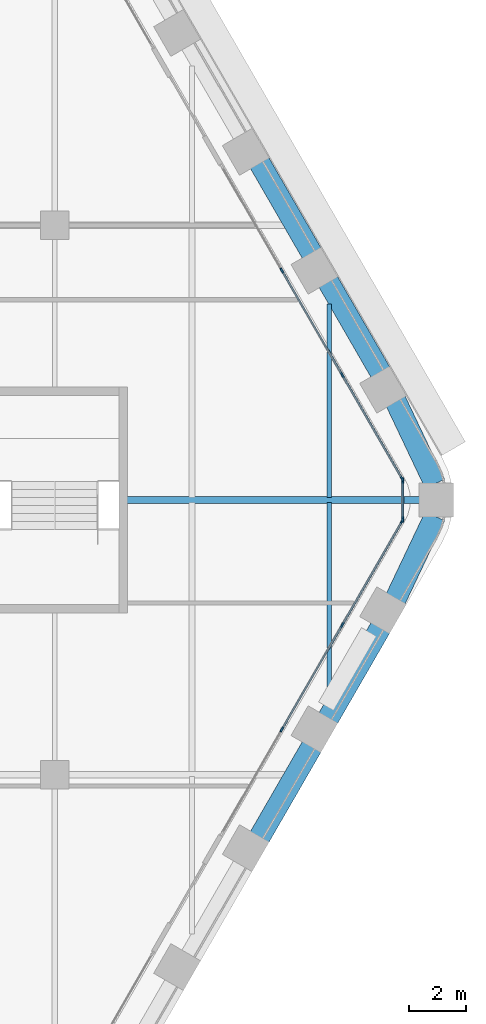
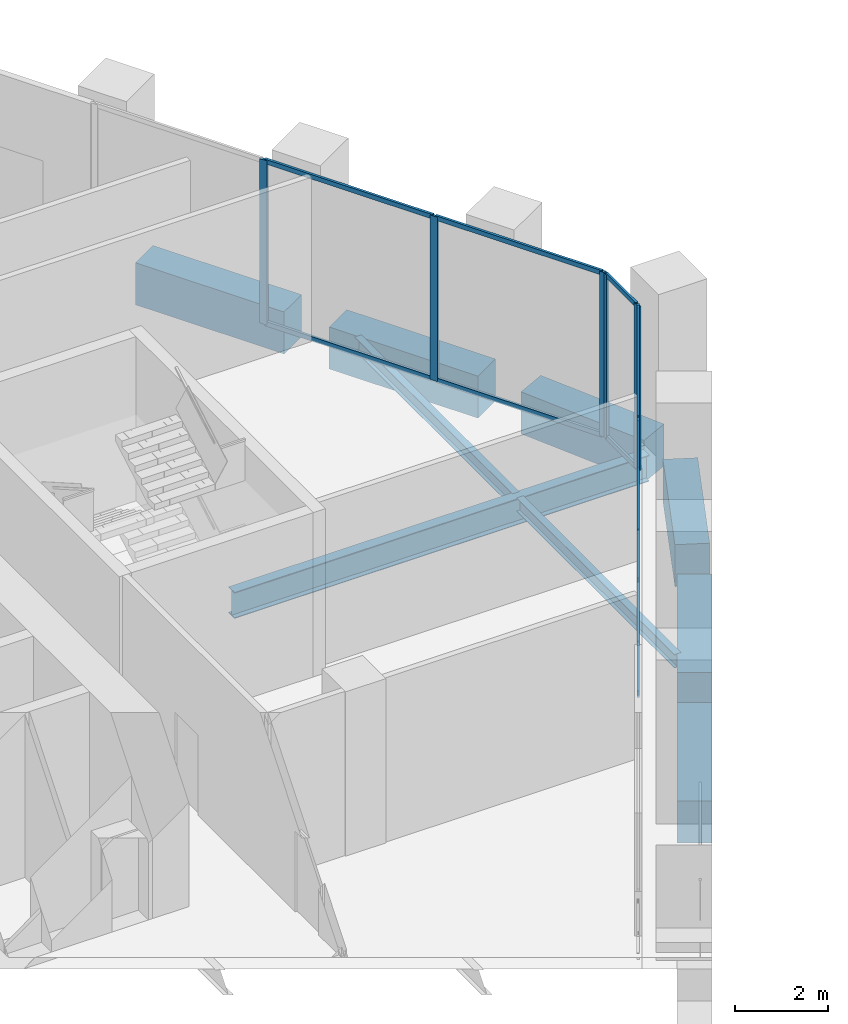
# One storey, part 12 of 27: 18 members, 9 beams, 3 elements without a shape of their own.
"""IFC4 building model written with IfcOpenShell, lengths in metres."""

from ifc_helpers import new_model, si_unit, direction, frame, origin, origin_2d, place, context, subcontext, project, spatial, rectangle, i_section, extrude, material, material_profile, profile_set, type_object, element, aggregate, save


model = new_model("IFC4")

# Units and contexts
model_context = context("Model", 3, precision=1e-05, world=origin(), true_north=direction((0.0, 1.0)))
body_context = subcontext(model_context, "Body", "Model", "MODEL_VIEW")
ifc_project = project(units=[si_unit("LENGTHUNIT", "METRE"), si_unit("AREAUNIT", "SQUARE_METRE"), si_unit("VOLUMEUNIT", "CUBIC_METRE"), si_unit("PLANEANGLEUNIT", "RADIAN"), si_unit("MASSUNIT", "GRAM", prefix="KILO")], contexts=[model_context])

# Site, building, storey
site_placement = place(None, origin())
site = spatial("IfcSite", under=ifc_project, at=site_placement, CompositionType="ELEMENT")
building_placement = place(site_placement, origin())
building = spatial("IfcBuilding", under=site, at=building_placement, Name="Kolab Exchange Tower", CompositionType="ELEMENT")
storey_placement = place(building_placement, frame((0.0, 0.0, 109.39990234375)))
storey = spatial("IfcBuildingStorey", under=building, at=storey_placement, Name="L21", CompositionType="ELEMENT", Elevation=109.39990234375)

# Beams
ifc_material_1 = material(Name="Steel S355", Category="steel")
ifc_material_profile_1 = material_profile(ifc_material_1, i_section(OverallWidth=0.1708984375, OverallDepth=0.35498046875, WebThickness=0.007080078125, FlangeThickness=0.01171875, at=origin_2d()), Name="W360X51")
ifc_profile_set_1 = profile_set([ifc_material_profile_1], Name="Steel S355")
beam_type_1 = type_object("IfcBeamType", Name="FLOOR BEAM W360X51", PredefinedType="BEAM", material=ifc_profile_set_1)
for number, where, z_axis, x_axis, name in (
    (1, (28.800048828125, -6.853759765625, -0.37744140625), (0.0, 1.0, 0.0), (-1.0, 0.0, 0.0), "beam/L21/fr/050"),
    (2, (28.800048828125, 0.0869140625, -0.37744140625), (0.0, 1.0, 0.0), (-1.0, 0.0, 0.0), "beam/L21/fr/051"),
):
    element("IfcBeam", number, at=place(storey_placement, frame(where, z_axis=z_axis, x_axis=x_axis)), inside=storey, type_object=beam_type_1, Name=name, PredefinedType="BEAM", context=body_context, shape_type="SweptSolid", body=[
        extrude(i_section(OverallWidth=0.1708984375, OverallDepth=0.35498046875, WebThickness=0.007080078125, FlangeThickness=0.01171875, at=origin_2d()), origin(), (0.0, 0.0, 1.0), 6.766845703125),
    ])
ifc_material_profile_2 = material_profile(ifc_material_1, i_section(OverallWidth=0.25390625, OverallDepth=0.68408203125, WebThickness=0.012451171875, FlangeThickness=0.018798828125, at=origin_2d()), Name="W690X140")
ifc_profile_set_2 = profile_set([ifc_material_profile_2], Name="Steel S355")
beam_type_2 = type_object("IfcBeamType", Name="FLOOR GIRDER W690X140", PredefinedType="BEAM", material=ifc_profile_set_2)
beam_placement = place(storey_placement, frame((21.7099609375, 0.0, -0.5419921875), z_axis=(1.0, 0.0, 0.0), x_axis=(0.0, 1.0, 0.0)))
element("IfcBeam", 3, at=beam_placement, inside=storey, type_object=beam_type_2, Name="beam/L21/gd/019", PredefinedType="BEAM", context=body_context, shape_type="SweptSolid", body=[
    extrude(i_section(OverallWidth=0.25390625, OverallDepth=0.68408203125, WebThickness=0.012451171875, FlangeThickness=0.018798828125, at=origin_2d()), origin(), (0.0, 0.0, 1.0), 10.265869140625),
])
ifc_material_2 = material(Name="Concrete C70/85", Category="concrete")
ifc_material_profile_3 = material_profile(ifc_material_2, rectangle(XDim=0.75, YDim=1.10009765625, at=origin_2d()), Name="RC750X1100")
ifc_profile_set_3 = profile_set([ifc_material_profile_3], Name="Concrete C70/85")
beam_type_3 = type_object("IfcBeamType", Name="SPANDREL BEAM 750X1100 C70/85", PredefinedType="BEAM", material=ifc_profile_set_3)
for number, where, z_axis, x_axis, name in (
    (4, (26.355224609375, 11.79833984375, -0.75), (0.500013413428, -0.866017659399, 0.0), (0.866017659399, 0.500013413428, 0.0), "beam/L21/sp/F2-05"),
    (5, (28.755126953125, 7.641357421875, -0.75), (0.500013413428, -0.866017659399, 0.0), (0.866017659399, 0.500013413428, 0.0), "beam/L21/sp/F2-06"),
):
    element("IfcBeam", number, at=place(storey_placement, frame(where, z_axis=z_axis, x_axis=x_axis)), inside=storey, type_object=beam_type_3, Name=name, PredefinedType="BEAM", context=body_context, shape_type="SweptSolid", body=[
        extrude(rectangle(XDim=0.75, YDim=1.10009765625, at=origin_2d()), origin(), (0.0, 0.0, 1.0), 3.68017578125),
    ])
for number, where, z_axis, x_axis, name in (
    (6, (31.116455078125, 3.4619140625, -0.75), (0.429041292193, -0.903284877319, 0.0), (0.903284877319, 0.429041292193, 0.0), "beam/L21/sp/F2-07"),
    (7, (32.492919921875, -0.56396484375, -0.75), (-0.429041292193, -0.903284877319, 0.0), (0.903284877319, -0.429041292193, 0.0), "beam/L21/sp/F3-01"),
):
    element("IfcBeam", number, at=place(storey_placement, frame(where, z_axis=z_axis, x_axis=x_axis)), inside=storey, type_object=beam_type_3, Name=name, PredefinedType="BEAM", context=body_context, shape_type="SweptSolid", body=[
        extrude(rectangle(XDim=0.75, YDim=1.10009765625, at=origin_2d()), origin(), (0.0, 0.0, 1.0), 3.208251953125),
    ])
for number, where, z_axis, x_axis, name in (
    (8, (30.59521484375, -4.454345703125, -0.75), (-0.500013413428, -0.866017659399, 0.0), (0.866017659399, -0.500013413428, 0.0), "beam/L21/sp/F3-02"),
    (9, (28.1953125, -8.611328125, -0.75), (-0.500013413428, -0.866017659399, 0.0), (0.866017659399, -0.500013413428, 0.0), "beam/L21/sp/F3-03"),
):
    element("IfcBeam", number, at=place(storey_placement, frame(where, z_axis=z_axis, x_axis=x_axis)), inside=storey, type_object=beam_type_3, Name=name, PredefinedType="BEAM", context=body_context, shape_type="SweptSolid", body=[
        extrude(rectangle(XDim=0.75, YDim=1.10009765625, at=origin_2d()), origin(), (0.0, 0.0, 1.0), 3.68017578125),
    ])

# Curtain wall, members
ifc_material_3 = material(Name="Aluminium EN AW-6063 T6", Category="aluminium")
curtain_wall_type = type_object("IfcCurtainWallType", Name="UNITISED LOWER MID ZONE CURTAIN WALL", PredefinedType="NOTDEFINED", material=ifc_material_3)
curtain_wall_1_placement = place(storey_placement, origin())
curtain_wall_1 = element("IfcCurtainWall", 10, at=curtain_wall_1_placement, inside=storey, type_object=curtain_wall_type, Name="cw/L21/F2-2", PredefinedType="NOTDEFINED")
ifc_material_profile_4 = material_profile(ifc_material_3, rectangle(XDim=0.06005859375, YDim=0.179931640625, at=origin_2d()), Name="RECT 60X180")
ifc_profile_set_4 = profile_set([ifc_material_profile_4], Name="Aluminium EN AW-6063 T6")
member_type_1 = type_object("IfcMemberType", Name="UNITISED LOWER MID ZONE MULLION 60 X 180", PredefinedType="MULLION", material=ifc_profile_set_4)
member_1_placement = place(storey_placement, frame((27.14306640625, 8.02392578125, 0.0), z_axis=(0.0, 0.0, 1.0), x_axis=(0.866025427826, 0.499999958358, 0.0)))
member_1 = element("IfcMember", 11, at=member_1_placement, type_object=member_type_1, Name="CW2 mullion 2", PredefinedType="MULLION", context=body_context, shape_type="SweptSolid", body=[
    extrude(rectangle(XDim=0.06005859375, YDim=0.179931640625, at=origin_2d()), origin(), (0.0, 0.0, 1.0), 4.300048828125),
])
member_2_placement = place(storey_placement, frame((29.25439453125, 4.366943359375, 0.0), z_axis=(0.0, 0.0, 1.0), x_axis=(0.866025427826, 0.499999958358, 0.0)))
member_2 = element("IfcMember", 12, at=member_2_placement, type_object=member_type_1, Name="CW2 mullion 3", PredefinedType="MULLION", context=body_context, shape_type="SweptSolid", body=[
    extrude(rectangle(XDim=0.06005859375, YDim=0.179931640625, at=origin_2d()), origin(), (0.0, 0.0, 1.0), 4.300048828125),
])
member_3_placement = place(storey_placement, frame((31.3505859375, 0.736083984375, 0.0), z_axis=(0.0, 0.0, 1.0), x_axis=(0.866025427826, 0.499999958358, 0.0)))
member_3 = element("IfcMember", 13, at=member_3_placement, type_object=member_type_1, Name="CW2 mullion 4", PredefinedType="MULLION", context=body_context, shape_type="SweptSolid", body=[
    extrude(rectangle(XDim=0.06005859375, YDim=0.179931640625, at=origin_2d()), origin(), (0.0, 0.0, 1.0), 4.300048828125),
])

curtain_wall_2_placement = place(storey_placement, origin())
curtain_wall_2 = element("IfcCurtainWall", 14, at=curtain_wall_2_placement, inside=storey, type_object=curtain_wall_type, Name="cw/L21/F3-1", PredefinedType="NOTDEFINED")
member_4_placement = place(storey_placement, frame((31.3505859375, -0.736083984375, 0.0), z_axis=(0.0, 0.0, 1.0), x_axis=(0.866025427826, -0.499999958358, 0.0)))
member_4 = element("IfcMember", 15, at=member_4_placement, type_object=member_type_1, Name="CW2 mullion 1", PredefinedType="MULLION", context=body_context, shape_type="SweptSolid", body=[
    extrude(rectangle(XDim=0.06005859375, YDim=0.179931640625, at=origin_2d()), origin(), (0.0, 0.0, 1.0), 4.300048828125),
])
member_5_placement = place(storey_placement, frame((29.25439453125, -4.366943359375, 0.0), z_axis=(0.0, 0.0, 1.0), x_axis=(0.866025427826, -0.499999958358, 0.0)))
member_5 = element("IfcMember", 16, at=member_5_placement, type_object=member_type_1, Name="CW2 mullion 2", PredefinedType="MULLION", context=body_context, shape_type="SweptSolid", body=[
    extrude(rectangle(XDim=0.06005859375, YDim=0.179931640625, at=origin_2d()), origin(), (0.0, 0.0, 1.0), 4.300048828125),
])
member_6_placement = place(storey_placement, frame((27.14306640625, -8.02392578125, 0.0), z_axis=(0.0, 0.0, 1.0), x_axis=(0.866025427826, -0.499999958358, 0.0)))
member_6 = element("IfcMember", 17, at=member_6_placement, type_object=member_type_1, Name="CW2 mullion 3", PredefinedType="MULLION", context=body_context, shape_type="SweptSolid", body=[
    extrude(rectangle(XDim=0.06005859375, YDim=0.179931640625, at=origin_2d()), origin(), (0.0, 0.0, 1.0), 4.300048828125),
])

curtain_wall_3_placement = place(storey_placement, origin())
curtain_wall_3 = element("IfcCurtainWall", 18, at=curtain_wall_3_placement, inside=storey, type_object=curtain_wall_type, Name="cw/L21/F2F3-corner", PredefinedType="NOTDEFINED")
member_7_placement = place(storey_placement, frame((31.36572265625, 0.679931640625, 0.0), z_axis=(0.0, 0.0, 1.0), x_axis=(1.0, 0.0, 0.0)))
member_7 = element("IfcMember", 19, at=member_7_placement, type_object=member_type_1, Name="CW2 mullion 1", PredefinedType="MULLION", context=body_context, shape_type="SweptSolid", body=[
    extrude(rectangle(XDim=0.06005859375, YDim=0.179931640625, at=origin_2d()), origin(), (0.0, 0.0, 1.0), 4.300048828125),
])
member_8_placement = place(storey_placement, frame((31.36572265625, -0.679931640625, 0.0), z_axis=(0.0, 0.0, 1.0), x_axis=(1.0, 0.0, 0.0)))
member_8 = element("IfcMember", 20, at=member_8_placement, type_object=member_type_1, Name="CW2 mullion 2", PredefinedType="MULLION", context=body_context, shape_type="SweptSolid", body=[
    extrude(rectangle(XDim=0.06005859375, YDim=0.179931640625, at=origin_2d()), origin(), (0.0, 0.0, 1.0), 4.300048828125),
])

# Member
ifc_material_profile_5 = material_profile(ifc_material_3, rectangle(XDim=0.06005859375, YDim=0.1201171875, at=origin_2d()), Name="RECT 60X120")
ifc_profile_set_5 = profile_set([ifc_material_profile_5], Name="Aluminium EN AW-6063 T6")
member_type_2 = type_object("IfcMemberType", Name="UNITISED LOWER MID ZONE TRANSOM 60 X 120", PredefinedType="USERDEFINED", material=ifc_profile_set_5)
member_9_placement = place(storey_placement, frame((27.157958984375, 7.997802734375, 0.030029296875), z_axis=(0.49999322259, -0.866029316688, 0.0), x_axis=(0.866029316688, 0.49999322259, 0.0)))
member_9 = element("IfcMember", 21, at=member_9_placement, type_object=member_type_2, Name="CW2 transom 2.1", ObjectType="TRANSOM", PredefinedType="USERDEFINED", context=body_context, shape_type="SweptSolid", body=[
    extrude(rectangle(XDim=0.06005859375, YDim=0.1201171875, at=origin_2d()), origin(), (0.0, 0.0, 1.0), 4.16259765625),
])

member_10_placement = place(storey_placement, frame((27.157958984375, 7.997802734375, 4.27001953125), z_axis=(0.49999322259, -0.866029316688, 0.0), x_axis=(0.866029316688, 0.49999322259, 0.0)))
member_10 = element("IfcMember", 22, at=member_10_placement, type_object=member_type_2, Name="CW2 transom 2.2", ObjectType="TRANSOM", PredefinedType="USERDEFINED", context=body_context, shape_type="SweptSolid", body=[
    extrude(rectangle(XDim=0.06005859375, YDim=0.1201171875, at=origin_2d()), origin(), (0.0, 0.0, 1.0), 4.16259765625),
])

member_11_placement = place(storey_placement, frame((29.269287109375, 4.3408203125, 0.030029296875), z_axis=(0.500027577057, -0.866009481578, 0.0), x_axis=(0.866009481578, 0.500027577057, 0.0)))
member_11 = element("IfcMember", 23, at=member_11_placement, type_object=member_type_2, Name="CW2 transom 3.1", ObjectType="TRANSOM", PredefinedType="USERDEFINED", context=body_context, shape_type="SweptSolid", body=[
    extrude(rectangle(XDim=0.06005859375, YDim=0.1201171875, at=origin_2d()), origin(), (0.0, 0.0, 1.0), 4.132568359375),
])

member_12_placement = place(storey_placement, frame((29.269287109375, 4.3408203125, 4.27001953125), z_axis=(0.500027577057, -0.866009481578, 0.0), x_axis=(0.866009481578, 0.500027577057, 0.0)))
member_12 = element("IfcMember", 24, at=member_12_placement, type_object=member_type_2, Name="CW2 transom 3.2", ObjectType="TRANSOM", PredefinedType="USERDEFINED", context=body_context, shape_type="SweptSolid", body=[
    extrude(rectangle(XDim=0.06005859375, YDim=0.1201171875, at=origin_2d()), origin(), (0.0, 0.0, 1.0), 4.132568359375),
])

aggregate(curtain_wall_1, [member_1, member_2, member_3, member_9, member_10, member_11, member_12])

member_13_placement = place(storey_placement, frame((31.335693359375, -0.761962890625, 0.030029296875), z_axis=(-0.500027577057, -0.866009481578, 0.0), x_axis=(0.866009481578, -0.500027577057, 0.0)))
member_13 = element("IfcMember", 25, at=member_13_placement, type_object=member_type_2, Name="CW2 transom 1.1", ObjectType="TRANSOM", PredefinedType="USERDEFINED", context=body_context, shape_type="SweptSolid", body=[
    extrude(rectangle(XDim=0.06005859375, YDim=0.1201171875, at=origin_2d()), origin(), (0.0, 0.0, 1.0), 4.132568359375),
])

member_14_placement = place(storey_placement, frame((31.335693359375, -0.761962890625, 4.27001953125), z_axis=(-0.500027577057, -0.866009481578, 0.0), x_axis=(0.866009481578, -0.500027577057, 0.0)))
member_14 = element("IfcMember", 26, at=member_14_placement, type_object=member_type_2, Name="CW2 transom 1.2", ObjectType="TRANSOM", PredefinedType="USERDEFINED", context=body_context, shape_type="SweptSolid", body=[
    extrude(rectangle(XDim=0.06005859375, YDim=0.1201171875, at=origin_2d()), origin(), (0.0, 0.0, 1.0), 4.132568359375),
])

member_15_placement = place(storey_placement, frame((29.2392578125, -4.392822265625, 0.030029296875), z_axis=(-0.49999322259, -0.866029316688, 0.0), x_axis=(0.866029316688, -0.49999322259, 0.0)))
member_15 = element("IfcMember", 27, at=member_15_placement, type_object=member_type_2, Name="CW2 transom 2.1", ObjectType="TRANSOM", PredefinedType="USERDEFINED", context=body_context, shape_type="SweptSolid", body=[
    extrude(rectangle(XDim=0.06005859375, YDim=0.1201171875, at=origin_2d()), origin(), (0.0, 0.0, 1.0), 4.16259765625),
])

member_16_placement = place(storey_placement, frame((29.2392578125, -4.392822265625, 4.27001953125), z_axis=(-0.49999322259, -0.866029316688, 0.0), x_axis=(0.866029316688, -0.49999322259, 0.0)))
member_16 = element("IfcMember", 28, at=member_16_placement, type_object=member_type_2, Name="CW2 transom 2.2", ObjectType="TRANSOM", PredefinedType="USERDEFINED", context=body_context, shape_type="SweptSolid", body=[
    extrude(rectangle(XDim=0.06005859375, YDim=0.1201171875, at=origin_2d()), origin(), (0.0, 0.0, 1.0), 4.16259765625),
])

aggregate(curtain_wall_2, [member_4, member_5, member_6, member_13, member_14, member_15, member_16])

member_17_placement = place(storey_placement, frame((31.36572265625, 0.64990234375, 0.030029296875), z_axis=(0.0, -1.0, 0.0), x_axis=(1.0, 0.0, 0.0)))
member_17 = element("IfcMember", 29, at=member_17_placement, type_object=member_type_2, Name="CW2 transom 1.1", ObjectType="TRANSOM", PredefinedType="USERDEFINED", context=body_context, shape_type="SweptSolid", body=[
    extrude(rectangle(XDim=0.06005859375, YDim=0.1201171875, at=origin_2d()), origin(), (0.0, 0.0, 1.0), 1.2998046875),
])

member_18_placement = place(storey_placement, frame((31.36572265625, 0.64990234375, 4.27001953125), z_axis=(0.0, -1.0, 0.0), x_axis=(1.0, 0.0, 0.0)))
member_18 = element("IfcMember", 30, at=member_18_placement, type_object=member_type_2, Name="CW2 transom 1.2", ObjectType="TRANSOM", PredefinedType="USERDEFINED", context=body_context, shape_type="SweptSolid", body=[
    extrude(rectangle(XDim=0.06005859375, YDim=0.1201171875, at=origin_2d()), origin(), (0.0, 0.0, 1.0), 1.2998046875),
])

aggregate(curtain_wall_3, [member_7, member_8, member_17, member_18])

save(model, "model.ifc")
